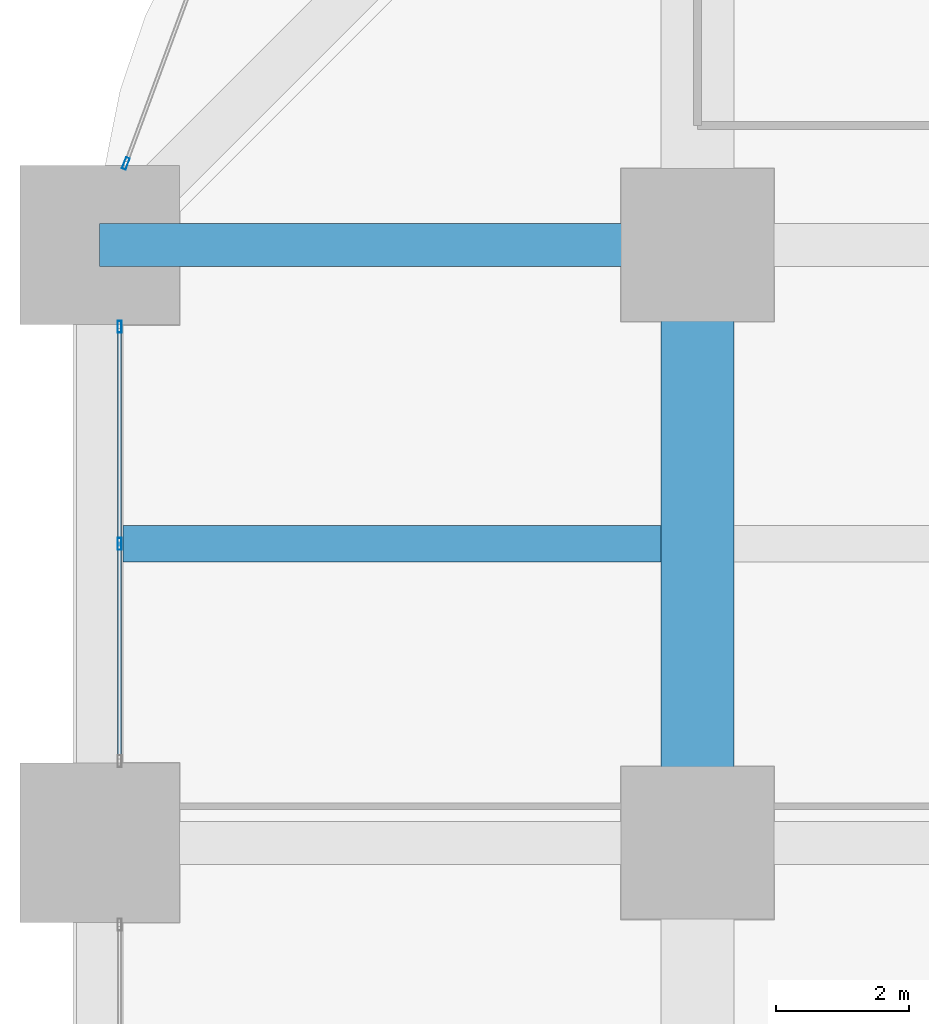
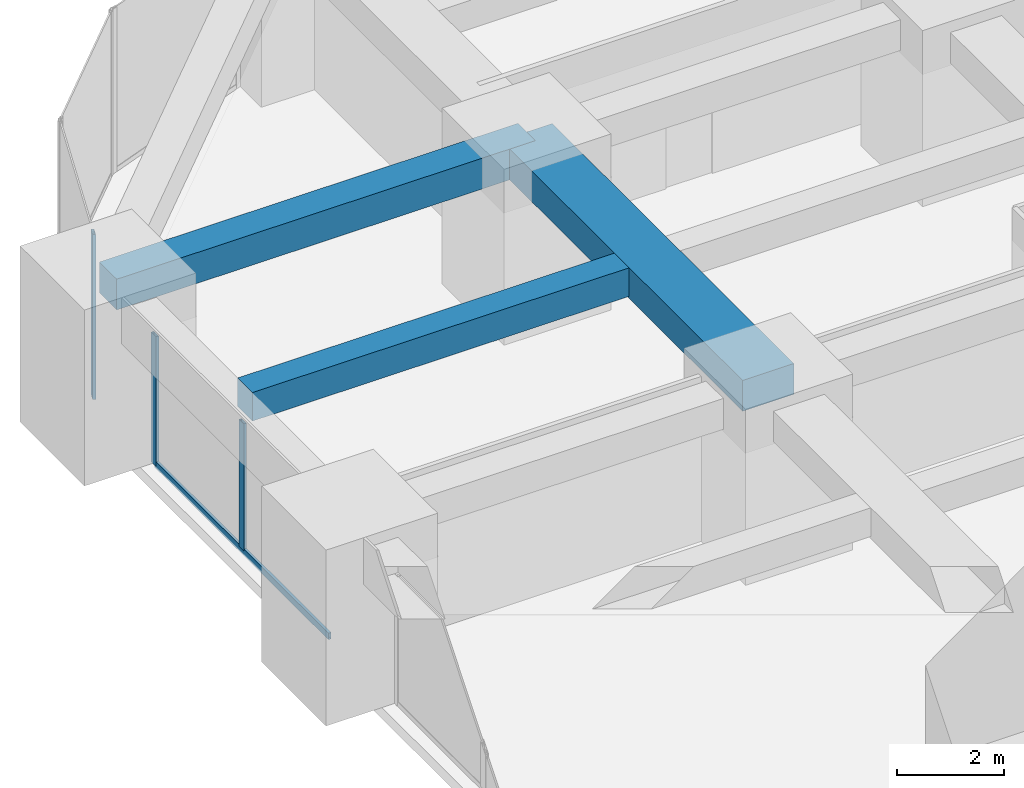
# One storey, part 25 of 45: 4 members, 3 beams, 2 elements without a shape of their own.
"""IFC4 building model written with IfcOpenShell, lengths in metres."""

from ifc_helpers import new_model, si_unit, direction, frame, origin, origin_2d, place, context, subcontext, project, spatial, rectangle, hollow_rectangle, extrude, material, material_profile, profile_set, type_object, element, aggregate, save


model = new_model("IFC4")

# Units and contexts
model_context = context("Model", 3, precision=1e-05, world=origin(), true_north=direction((0.0, 1.0)))
body_context = subcontext(model_context, "Body", "Model", "MODEL_VIEW")
ifc_project = project(units=[si_unit("LENGTHUNIT", "METRE"), si_unit("AREAUNIT", "SQUARE_METRE"), si_unit("VOLUMEUNIT", "CUBIC_METRE"), si_unit("PLANEANGLEUNIT", "RADIAN"), si_unit("MASSUNIT", "GRAM", prefix="KILO")], contexts=[model_context])

# Site, building, storey
site_placement = place(None, origin())
site = spatial("IfcSite", under=ifc_project, at=site_placement, CompositionType="ELEMENT")
building_placement = place(site_placement, origin())
building = spatial("IfcBuilding", under=site, at=building_placement, Name="Zorevar Civic Tower", CompositionType="ELEMENT")
storey_placement = place(building_placement, frame((0.0, 0.0, 27.800048828125)))
storey = spatial("IfcBuildingStorey", under=building, at=storey_placement, Name="L06", CompositionType="ELEMENT", Elevation=27.800048828125)

# Beams
ifc_material_1 = material(Name="Concrete C50/60", Category="concrete")
ifc_material_profile_1 = material_profile(ifc_material_1, rectangle(XDim=1.10009765625, YDim=0.699951171875, at=origin_2d()), Name="RC 1100x700")
ifc_profile_set_1 = profile_set([ifc_material_profile_1], Name="Concrete C50/60")
beam_type_1 = type_object("IfcBeamType", Name="Beam RC 1100x700", PredefinedType="BEAM", material=ifc_profile_set_1)
beam_1_placement = place(storey_placement, frame((9.0, 36.0, 3.39990234375), z_axis=(0.0, 1.0, 0.0), x_axis=(-1.0, 0.0, 0.0)))
element("IfcBeam", 1, at=beam_1_placement, inside=storey, type_object=beam_type_1, Name="Girder L07", PredefinedType="BEAM", context=body_context, shape_type="SweptSolid", body=[
    extrude(rectangle(XDim=1.10009765625, YDim=0.699951171875, at=origin_2d()), origin(), (0.0, 0.0, 1.0), 9.0),
])
ifc_material_2 = material(Name="Concrete C50/60", Category="concrete")
ifc_material_profile_2 = material_profile(ifc_material_2, rectangle(XDim=0.550048828125, YDim=0.64990234375, at=origin_2d()), Name="RC 550x650")
ifc_profile_set_2 = profile_set([ifc_material_profile_2], Name="Concrete C50/60")
beam_type_2 = type_object("IfcBeamType", Name="Beam RC 550x650", PredefinedType="BEAM", material=ifc_profile_set_2)
beam_2_placement = place(storey_placement, frame((0.35009765625, 40.5, 3.425048828125), z_axis=(1.0, 0.0, 0.0), x_axis=(0.0, 1.0, 0.0)))
element("IfcBeam", 2, at=beam_2_placement, inside=storey, type_object=beam_type_2, Name="Secondary beam L07", PredefinedType="BEAM", context=body_context, shape_type="SweptSolid", body=[
    extrude(rectangle(XDim=0.550048828125, YDim=0.64990234375, at=origin_2d()), origin(), (0.0, 0.0, 1.0), 8.099853515625),
])
ifc_material_3 = material(Name="Concrete C50/60", Category="concrete")
ifc_material_profile_3 = material_profile(ifc_material_3, rectangle(XDim=0.64990234375, YDim=0.699951171875, at=origin_2d()), Name="RC 650x700")
ifc_profile_set_3 = profile_set([ifc_material_profile_3], Name="Concrete C50/60")
beam_type_3 = type_object("IfcBeamType", Name="Beam RC 650x700", PredefinedType="BEAM", material=ifc_profile_set_3)
beam_3_placement = place(storey_placement, frame((0.0, 45.0, 3.39990234375), z_axis=(1.0, 0.0, 0.0), x_axis=(0.0, 1.0, 0.0)))
element("IfcBeam", 3, at=beam_3_placement, inside=storey, type_object=beam_type_3, Name="Girder L07", PredefinedType="BEAM", context=body_context, shape_type="SweptSolid", body=[
    extrude(rectangle(XDim=0.64990234375, YDim=0.699951171875, at=origin_2d()), origin(), (0.0, 0.0, 1.0), 9.0),
])

# Curtain wall, members
ifc_material_4 = material(Name="Dark grey solar-control glass in black aluminium frame", Category="aluminium")
curtain_wall_type = type_object("IfcCurtainWallType", Name="Curtain wall CW2 low zone", PredefinedType="NOTDEFINED", material=ifc_material_4)
curtain_wall_1_placement = place(storey_placement, origin())
curtain_wall_1 = element("IfcCurtainWall", 4, at=curtain_wall_1_placement, inside=storey, type_object=curtain_wall_type, Name="CW2 L06", PredefinedType="NOTDEFINED")
ifc_material_5 = material(Name="Aluminium, black anodised", Category="aluminium")
ifc_material_profile_4 = material_profile(ifc_material_5, hollow_rectangle(XDim=0.06005859375, YDim=0.179931640625, WallThickness=0.00390625, at=origin_2d()), Name="AL 180x60x4")
ifc_profile_set_4 = profile_set([ifc_material_profile_4], Name="Aluminium, black anodised")
member_type_1 = type_object("IfcMemberType", Name="CW2 mullion AL 180x60x4", PredefinedType="MULLION", material=ifc_profile_set_4)
member_1_placement = place(storey_placement, frame((0.300048828125, 40.5, 0.06005859375), z_axis=(0.0, 0.0, 1.0), x_axis=(-1.0, 0.0, 0.0)))
member_1 = element("IfcMember", 5, at=member_1_placement, type_object=member_type_1, Name="CW2 mullion 2", PredefinedType="MULLION", context=body_context, shape_type="SweptSolid", body=[
    extrude(hollow_rectangle(XDim=0.06005859375, YDim=0.179931640625, WallThickness=0.00390625, at=origin_2d()), origin(), (0.0, 0.0, 1.0), 2.889892578125),
])
member_2_placement = place(storey_placement, frame((0.300048828125, 43.77001953125, 0.0), z_axis=(0.0, 0.0, 1.0), x_axis=(-1.0, 0.0, 0.0)))
member_2 = element("IfcMember", 6, at=member_2_placement, type_object=member_type_1, Name="CW2 mullion 3", PredefinedType="MULLION", context=body_context, shape_type="SweptSolid", body=[
    extrude(hollow_rectangle(XDim=0.06005859375, YDim=0.179931640625, WallThickness=0.00390625, at=origin_2d()), origin(), (0.0, 0.0, 1.0), 2.949951171875),
])

# Curtain wall, member
curtain_wall_2_placement = place(storey_placement, origin())
curtain_wall_2 = element("IfcCurtainWall", 7, at=curtain_wall_2_placement, inside=storey, type_object=curtain_wall_type, Name="CW2 L06", PredefinedType="NOTDEFINED")
member_3_placement = place(storey_placement, frame((0.3935546875, 46.22802734375, 0.0), z_axis=(0.0, 0.0, 1.0), x_axis=(0.937974588163, -0.346704012033, 0.0)))
member_3 = element("IfcMember", 8, at=member_3_placement, type_object=member_type_1, Name="CW2 mullion 2", PredefinedType="MULLION", context=body_context, shape_type="SweptSolid", body=[
    extrude(hollow_rectangle(XDim=0.06005859375, YDim=0.179931640625, WallThickness=0.00390625, at=origin_2d()), origin(), (0.0, 0.0, 1.0), 3.75),
])
aggregate(curtain_wall_2, [member_3])

# Member
ifc_material_6 = material(Name="Aluminium, black anodised", Category="aluminium")
ifc_material_profile_5 = material_profile(ifc_material_6, hollow_rectangle(XDim=0.06005859375, YDim=0.14990234375, WallThickness=0.00390625, at=origin_2d()), Name="AL 150x60x4")
ifc_profile_set_5 = profile_set([ifc_material_profile_5], Name="Aluminium, black anodised")
member_type_2 = type_object("IfcMemberType", Name="CW2 transom AL 150x60x4", PredefinedType="USERDEFINED", material=ifc_profile_set_5)
member_4_placement = place(storey_placement, frame((0.300048828125, 37.260009765625, 0.030029296875), z_axis=(0.0, 1.0, 0.0), x_axis=(-1.0, 0.0, 0.0)))
member_4 = element("IfcMember", 9, at=member_4_placement, type_object=member_type_2, Name="CW2 sill transom", ObjectType="TRANSOM", PredefinedType="USERDEFINED", context=body_context, shape_type="SweptSolid", body=[
    extrude(hollow_rectangle(XDim=0.06005859375, YDim=0.14990234375, WallThickness=0.00390625, at=origin_2d()), origin(), (0.0, 0.0, 1.0), 6.47998046875),
])

aggregate(curtain_wall_1, [member_1, member_2, member_4])

save(model, "model.ifc")
